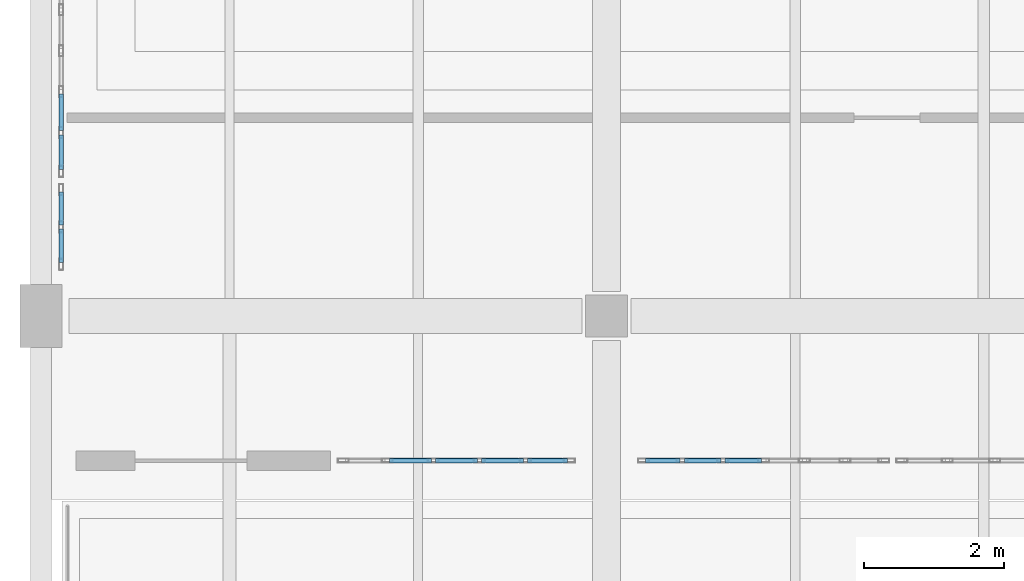
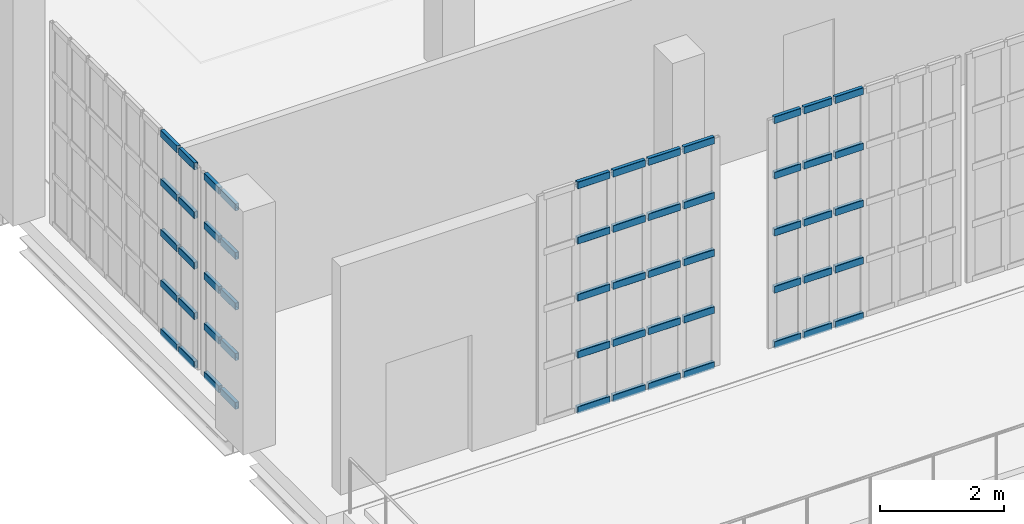
# One storey, part 53 of 104: 55 members, 4 elements without a shape of their own.
"""IFC4 building model written with IfcOpenShell, lengths in metres."""

from ifc_helpers import new_model, si_unit, direction, frame, origin, origin_2d, place, context, subcontext, project, spatial, hollow_rectangle, extrude, material, material_profile, profile_set, type_object, element, aggregate, save


model = new_model("IFC4")

# Units and contexts
model_context = context("Model", 3, precision=1e-05, world=origin(), true_north=direction((0.0, 1.0)))
body_context = subcontext(model_context, "Body", "Model", "MODEL_VIEW")
ifc_project = project(units=[si_unit("LENGTHUNIT", "METRE"), si_unit("AREAUNIT", "SQUARE_METRE"), si_unit("VOLUMEUNIT", "CUBIC_METRE"), si_unit("PLANEANGLEUNIT", "RADIAN"), si_unit("MASSUNIT", "GRAM", prefix="KILO")], contexts=[model_context])

# Site, building, storey
site_placement = place(None, origin())
site = spatial("IfcSite", under=ifc_project, at=site_placement, CompositionType="ELEMENT")
building_placement = place(site_placement, origin())
building = spatial("IfcBuilding", under=site, at=building_placement, Name="Kaelora Sail Theatre", CompositionType="ELEMENT")
storey_placement = place(building_placement, frame((0.0, 0.0, 5.39990234375)))
storey = spatial("IfcBuildingStorey", under=building, at=storey_placement, Name="L01", CompositionType="ELEMENT", Elevation=5.39990234375)

# Curtain wall, members
ifc_material_1 = material(Name="Anodised aluminium and solar-control low-E IGU", Category="aluminium")
curtain_wall_type_1 = type_object("IfcCurtainWallType", Name="ARC-CW-CW-FOY2", PredefinedType="NOTDEFINED", material=ifc_material_1)
curtain_wall_1_placement = place(storey_placement, origin())
curtain_wall_1 = element("IfcCurtainWall", 1, at=curtain_wall_1_placement, inside=storey, type_object=curtain_wall_type_1, Name="Glazed Foyer/Conservatory Curtain Wall FW1-S-L01-01", PredefinedType="NOTDEFINED")
ifc_material_2 = material(Name="Anodised aluminium 6063-T6", Category="aluminium")
ifc_material_profile = material_profile(ifc_material_2, hollow_rectangle(XDim=0.070068359375, YDim=0.139892578125, WallThickness=0.00390625, InnerFilletRadius=0.00390625, OuterFilletRadius=0.008056640625, at=origin_2d()), Name="ALU-TRAN 70x140x4")
ifc_profile_set = profile_set([ifc_material_profile], Name="Anodised aluminium 6063-T6")
member_type = type_object("IfcMemberType", Name="ARC-MEM-TR-140", PredefinedType="USERDEFINED", material=ifc_profile_set)
member_1_placement = place(storey_placement, frame((6.489990234375, 66.389892578125, 0.03515625), z_axis=(1.0, 0.0, 0.0), x_axis=(0.0, 1.0, 0.0)))
member_1 = element("IfcMember", 2, at=member_1_placement, type_object=member_type, Name="CW-FOY2 transom 2.1", ObjectType="TRANSOM", PredefinedType="USERDEFINED", context=body_context, shape_type="SweptSolid", body=[
    extrude(hollow_rectangle(XDim=0.070068359375, YDim=0.139892578125, WallThickness=0.00390625, InnerFilletRadius=0.00390625, OuterFilletRadius=0.008056640625, at=origin_2d()), origin(), (0.0, 0.0, 1.0), 0.60009765625),
])
member_2_placement = place(storey_placement, frame((6.489990234375, 66.389892578125, 1.12646484375), z_axis=(1.0, 0.0, 0.0), x_axis=(0.0, 1.0, 0.0)))
member_2 = element("IfcMember", 3, at=member_2_placement, type_object=member_type, Name="CW-FOY2 transom 2.2", ObjectType="TRANSOM", PredefinedType="USERDEFINED", context=body_context, shape_type="SweptSolid", body=[
    extrude(hollow_rectangle(XDim=0.070068359375, YDim=0.139892578125, WallThickness=0.00390625, InnerFilletRadius=0.00390625, OuterFilletRadius=0.008056640625, at=origin_2d()), origin(), (0.0, 0.0, 1.0), 0.60009765625),
])
member_3_placement = place(storey_placement, frame((6.489990234375, 66.389892578125, 2.252685546875), z_axis=(1.0, 0.0, 0.0), x_axis=(0.0, 1.0, 0.0)))
member_3 = element("IfcMember", 4, at=member_3_placement, type_object=member_type, Name="CW-FOY2 transom 2.3", ObjectType="TRANSOM", PredefinedType="USERDEFINED", context=body_context, shape_type="SweptSolid", body=[
    extrude(hollow_rectangle(XDim=0.070068359375, YDim=0.139892578125, WallThickness=0.00390625, InnerFilletRadius=0.00390625, OuterFilletRadius=0.008056640625, at=origin_2d()), origin(), (0.0, 0.0, 1.0), 0.60009765625),
])
member_4_placement = place(storey_placement, frame((6.489990234375, 66.389892578125, 3.37890625), z_axis=(1.0, 0.0, 0.0), x_axis=(0.0, 1.0, 0.0)))
member_4 = element("IfcMember", 5, at=member_4_placement, type_object=member_type, Name="CW-FOY2 transom 2.4", ObjectType="TRANSOM", PredefinedType="USERDEFINED", context=body_context, shape_type="SweptSolid", body=[
    extrude(hollow_rectangle(XDim=0.070068359375, YDim=0.139892578125, WallThickness=0.00390625, InnerFilletRadius=0.00390625, OuterFilletRadius=0.008056640625, at=origin_2d()), origin(), (0.0, 0.0, 1.0), 0.60009765625),
])
member_5_placement = place(storey_placement, frame((6.489990234375, 66.389892578125, 4.47021484375), z_axis=(1.0, 0.0, 0.0), x_axis=(0.0, 1.0, 0.0)))
member_5 = element("IfcMember", 6, at=member_5_placement, type_object=member_type, Name="CW-FOY2 transom 2.5", ObjectType="TRANSOM", PredefinedType="USERDEFINED", context=body_context, shape_type="SweptSolid", body=[
    extrude(hollow_rectangle(XDim=0.070068359375, YDim=0.139892578125, WallThickness=0.00390625, InnerFilletRadius=0.00390625, OuterFilletRadius=0.008056640625, at=origin_2d()), origin(), (0.0, 0.0, 1.0), 0.60009765625),
])
member_6_placement = place(storey_placement, frame((7.14990234375, 66.389892578125, 0.03515625), z_axis=(1.0, 0.0, 0.0), x_axis=(0.0, 1.0, 0.0)))
member_6 = element("IfcMember", 7, at=member_6_placement, type_object=member_type, Name="CW-FOY2 transom 3.1", ObjectType="TRANSOM", PredefinedType="USERDEFINED", context=body_context, shape_type="SweptSolid", body=[
    extrude(hollow_rectangle(XDim=0.070068359375, YDim=0.139892578125, WallThickness=0.00390625, InnerFilletRadius=0.00390625, OuterFilletRadius=0.008056640625, at=origin_2d()), origin(), (0.0, 0.0, 1.0), 0.60009765625),
])
member_7_placement = place(storey_placement, frame((7.14990234375, 66.389892578125, 1.12646484375), z_axis=(1.0, 0.0, 0.0), x_axis=(0.0, 1.0, 0.0)))
member_7 = element("IfcMember", 8, at=member_7_placement, type_object=member_type, Name="CW-FOY2 transom 3.2", ObjectType="TRANSOM", PredefinedType="USERDEFINED", context=body_context, shape_type="SweptSolid", body=[
    extrude(hollow_rectangle(XDim=0.070068359375, YDim=0.139892578125, WallThickness=0.00390625, InnerFilletRadius=0.00390625, OuterFilletRadius=0.008056640625, at=origin_2d()), origin(), (0.0, 0.0, 1.0), 0.60009765625),
])
member_8_placement = place(storey_placement, frame((7.14990234375, 66.389892578125, 2.252685546875), z_axis=(1.0, 0.0, 0.0), x_axis=(0.0, 1.0, 0.0)))
member_8 = element("IfcMember", 9, at=member_8_placement, type_object=member_type, Name="CW-FOY2 transom 3.3", ObjectType="TRANSOM", PredefinedType="USERDEFINED", context=body_context, shape_type="SweptSolid", body=[
    extrude(hollow_rectangle(XDim=0.070068359375, YDim=0.139892578125, WallThickness=0.00390625, InnerFilletRadius=0.00390625, OuterFilletRadius=0.008056640625, at=origin_2d()), origin(), (0.0, 0.0, 1.0), 0.60009765625),
])
member_9_placement = place(storey_placement, frame((7.14990234375, 66.389892578125, 3.37890625), z_axis=(1.0, 0.0, 0.0), x_axis=(0.0, 1.0, 0.0)))
member_9 = element("IfcMember", 10, at=member_9_placement, type_object=member_type, Name="CW-FOY2 transom 3.4", ObjectType="TRANSOM", PredefinedType="USERDEFINED", context=body_context, shape_type="SweptSolid", body=[
    extrude(hollow_rectangle(XDim=0.070068359375, YDim=0.139892578125, WallThickness=0.00390625, InnerFilletRadius=0.00390625, OuterFilletRadius=0.008056640625, at=origin_2d()), origin(), (0.0, 0.0, 1.0), 0.60009765625),
])
member_10_placement = place(storey_placement, frame((7.14990234375, 66.389892578125, 4.47021484375), z_axis=(1.0, 0.0, 0.0), x_axis=(0.0, 1.0, 0.0)))
member_10 = element("IfcMember", 11, at=member_10_placement, type_object=member_type, Name="CW-FOY2 transom 3.5", ObjectType="TRANSOM", PredefinedType="USERDEFINED", context=body_context, shape_type="SweptSolid", body=[
    extrude(hollow_rectangle(XDim=0.070068359375, YDim=0.139892578125, WallThickness=0.00390625, InnerFilletRadius=0.00390625, OuterFilletRadius=0.008056640625, at=origin_2d()), origin(), (0.0, 0.0, 1.0), 0.60009765625),
])
member_11_placement = place(storey_placement, frame((7.81005859375, 66.389892578125, 0.03515625), z_axis=(1.0, 0.0, 0.0), x_axis=(0.0, 1.0, 0.0)))
member_11 = element("IfcMember", 12, at=member_11_placement, type_object=member_type, Name="CW-FOY2 transom 4.1", ObjectType="TRANSOM", PredefinedType="USERDEFINED", context=body_context, shape_type="SweptSolid", body=[
    extrude(hollow_rectangle(XDim=0.070068359375, YDim=0.139892578125, WallThickness=0.00390625, InnerFilletRadius=0.00390625, OuterFilletRadius=0.008056640625, at=origin_2d()), origin(), (0.0, 0.0, 1.0), 0.599853515625),
])
member_12_placement = place(storey_placement, frame((7.81005859375, 66.389892578125, 1.12646484375), z_axis=(1.0, 0.0, 0.0), x_axis=(0.0, 1.0, 0.0)))
member_12 = element("IfcMember", 13, at=member_12_placement, type_object=member_type, Name="CW-FOY2 transom 4.2", ObjectType="TRANSOM", PredefinedType="USERDEFINED", context=body_context, shape_type="SweptSolid", body=[
    extrude(hollow_rectangle(XDim=0.070068359375, YDim=0.139892578125, WallThickness=0.00390625, InnerFilletRadius=0.00390625, OuterFilletRadius=0.008056640625, at=origin_2d()), origin(), (0.0, 0.0, 1.0), 0.599853515625),
])
member_13_placement = place(storey_placement, frame((7.81005859375, 66.389892578125, 2.252685546875), z_axis=(1.0, 0.0, 0.0), x_axis=(0.0, 1.0, 0.0)))
member_13 = element("IfcMember", 14, at=member_13_placement, type_object=member_type, Name="CW-FOY2 transom 4.3", ObjectType="TRANSOM", PredefinedType="USERDEFINED", context=body_context, shape_type="SweptSolid", body=[
    extrude(hollow_rectangle(XDim=0.070068359375, YDim=0.139892578125, WallThickness=0.00390625, InnerFilletRadius=0.00390625, OuterFilletRadius=0.008056640625, at=origin_2d()), origin(), (0.0, 0.0, 1.0), 0.599853515625),
])
member_14_placement = place(storey_placement, frame((7.81005859375, 66.389892578125, 3.37890625), z_axis=(1.0, 0.0, 0.0), x_axis=(0.0, 1.0, 0.0)))
member_14 = element("IfcMember", 15, at=member_14_placement, type_object=member_type, Name="CW-FOY2 transom 4.4", ObjectType="TRANSOM", PredefinedType="USERDEFINED", context=body_context, shape_type="SweptSolid", body=[
    extrude(hollow_rectangle(XDim=0.070068359375, YDim=0.139892578125, WallThickness=0.00390625, InnerFilletRadius=0.00390625, OuterFilletRadius=0.008056640625, at=origin_2d()), origin(), (0.0, 0.0, 1.0), 0.599853515625),
])
member_15_placement = place(storey_placement, frame((7.81005859375, 66.389892578125, 4.47021484375), z_axis=(1.0, 0.0, 0.0), x_axis=(0.0, 1.0, 0.0)))
member_15 = element("IfcMember", 16, at=member_15_placement, type_object=member_type, Name="CW-FOY2 transom 4.5", ObjectType="TRANSOM", PredefinedType="USERDEFINED", context=body_context, shape_type="SweptSolid", body=[
    extrude(hollow_rectangle(XDim=0.070068359375, YDim=0.139892578125, WallThickness=0.00390625, InnerFilletRadius=0.00390625, OuterFilletRadius=0.008056640625, at=origin_2d()), origin(), (0.0, 0.0, 1.0), 0.599853515625),
])
member_16_placement = place(storey_placement, frame((8.469970703125, 66.389892578125, 0.03515625), z_axis=(1.0, 0.0, 0.0), x_axis=(0.0, 1.0, 0.0)))
member_16 = element("IfcMember", 17, at=member_16_placement, type_object=member_type, Name="CW-FOY2 transom 5.1", ObjectType="TRANSOM", PredefinedType="USERDEFINED", context=body_context, shape_type="SweptSolid", body=[
    extrude(hollow_rectangle(XDim=0.070068359375, YDim=0.139892578125, WallThickness=0.00390625, InnerFilletRadius=0.00390625, OuterFilletRadius=0.008056640625, at=origin_2d()), origin(), (0.0, 0.0, 1.0), 0.570068359375),
])
member_17_placement = place(storey_placement, frame((8.469970703125, 66.389892578125, 1.12646484375), z_axis=(1.0, 0.0, 0.0), x_axis=(0.0, 1.0, 0.0)))
member_17 = element("IfcMember", 18, at=member_17_placement, type_object=member_type, Name="CW-FOY2 transom 5.2", ObjectType="TRANSOM", PredefinedType="USERDEFINED", context=body_context, shape_type="SweptSolid", body=[
    extrude(hollow_rectangle(XDim=0.070068359375, YDim=0.139892578125, WallThickness=0.00390625, InnerFilletRadius=0.00390625, OuterFilletRadius=0.008056640625, at=origin_2d()), origin(), (0.0, 0.0, 1.0), 0.570068359375),
])
member_18_placement = place(storey_placement, frame((8.469970703125, 66.389892578125, 2.252685546875), z_axis=(1.0, 0.0, 0.0), x_axis=(0.0, 1.0, 0.0)))
member_18 = element("IfcMember", 19, at=member_18_placement, type_object=member_type, Name="CW-FOY2 transom 5.3", ObjectType="TRANSOM", PredefinedType="USERDEFINED", context=body_context, shape_type="SweptSolid", body=[
    extrude(hollow_rectangle(XDim=0.070068359375, YDim=0.139892578125, WallThickness=0.00390625, InnerFilletRadius=0.00390625, OuterFilletRadius=0.008056640625, at=origin_2d()), origin(), (0.0, 0.0, 1.0), 0.570068359375),
])
member_19_placement = place(storey_placement, frame((8.469970703125, 66.389892578125, 3.37890625), z_axis=(1.0, 0.0, 0.0), x_axis=(0.0, 1.0, 0.0)))
member_19 = element("IfcMember", 20, at=member_19_placement, type_object=member_type, Name="CW-FOY2 transom 5.4", ObjectType="TRANSOM", PredefinedType="USERDEFINED", context=body_context, shape_type="SweptSolid", body=[
    extrude(hollow_rectangle(XDim=0.070068359375, YDim=0.139892578125, WallThickness=0.00390625, InnerFilletRadius=0.00390625, OuterFilletRadius=0.008056640625, at=origin_2d()), origin(), (0.0, 0.0, 1.0), 0.570068359375),
])
member_20_placement = place(storey_placement, frame((8.469970703125, 66.389892578125, 4.47021484375), z_axis=(1.0, 0.0, 0.0), x_axis=(0.0, 1.0, 0.0)))
member_20 = element("IfcMember", 21, at=member_20_placement, type_object=member_type, Name="CW-FOY2 transom 5.5", ObjectType="TRANSOM", PredefinedType="USERDEFINED", context=body_context, shape_type="SweptSolid", body=[
    extrude(hollow_rectangle(XDim=0.070068359375, YDim=0.139892578125, WallThickness=0.00390625, InnerFilletRadius=0.00390625, OuterFilletRadius=0.008056640625, at=origin_2d()), origin(), (0.0, 0.0, 1.0), 0.570068359375),
])
aggregate(curtain_wall_1, [member_1, member_2, member_3, member_4, member_5, member_6, member_7, member_8, member_9, member_10, member_11, member_12, member_13, member_14, member_15, member_16, member_17, member_18, member_19, member_20])

curtain_wall_2_placement = place(storey_placement, origin())
curtain_wall_2 = element("IfcCurtainWall", 22, at=curtain_wall_2_placement, inside=storey, type_object=curtain_wall_type_1, Name="Glazed Foyer/Conservatory Curtain Wall FW1-S-L01-02", PredefinedType="NOTDEFINED")
member_21_placement = place(storey_placement, frame((10.159912109375, 66.389892578125, 0.03515625), z_axis=(1.0, 0.0, 0.0), x_axis=(0.0, 1.0, 0.0)))
member_21 = element("IfcMember", 23, at=member_21_placement, type_object=member_type, Name="CW-FOY2 transom 1.1", ObjectType="TRANSOM", PredefinedType="USERDEFINED", context=body_context, shape_type="SweptSolid", body=[
    extrude(hollow_rectangle(XDim=0.070068359375, YDim=0.139892578125, WallThickness=0.00390625, InnerFilletRadius=0.00390625, OuterFilletRadius=0.008056640625, at=origin_2d()), origin(), (0.0, 0.0, 1.0), 0.493408203125),
])
member_22_placement = place(storey_placement, frame((10.159912109375, 66.389892578125, 1.12646484375), z_axis=(1.0, 0.0, 0.0), x_axis=(0.0, 1.0, 0.0)))
member_22 = element("IfcMember", 24, at=member_22_placement, type_object=member_type, Name="CW-FOY2 transom 1.2", ObjectType="TRANSOM", PredefinedType="USERDEFINED", context=body_context, shape_type="SweptSolid", body=[
    extrude(hollow_rectangle(XDim=0.070068359375, YDim=0.139892578125, WallThickness=0.00390625, InnerFilletRadius=0.00390625, OuterFilletRadius=0.008056640625, at=origin_2d()), origin(), (0.0, 0.0, 1.0), 0.493408203125),
])
member_23_placement = place(storey_placement, frame((10.159912109375, 66.389892578125, 2.252685546875), z_axis=(1.0, 0.0, 0.0), x_axis=(0.0, 1.0, 0.0)))
member_23 = element("IfcMember", 25, at=member_23_placement, type_object=member_type, Name="CW-FOY2 transom 1.3", ObjectType="TRANSOM", PredefinedType="USERDEFINED", context=body_context, shape_type="SweptSolid", body=[
    extrude(hollow_rectangle(XDim=0.070068359375, YDim=0.139892578125, WallThickness=0.00390625, InnerFilletRadius=0.00390625, OuterFilletRadius=0.008056640625, at=origin_2d()), origin(), (0.0, 0.0, 1.0), 0.493408203125),
])
member_24_placement = place(storey_placement, frame((10.159912109375, 66.389892578125, 3.37890625), z_axis=(1.0, 0.0, 0.0), x_axis=(0.0, 1.0, 0.0)))
member_24 = element("IfcMember", 26, at=member_24_placement, type_object=member_type, Name="CW-FOY2 transom 1.4", ObjectType="TRANSOM", PredefinedType="USERDEFINED", context=body_context, shape_type="SweptSolid", body=[
    extrude(hollow_rectangle(XDim=0.070068359375, YDim=0.139892578125, WallThickness=0.00390625, InnerFilletRadius=0.00390625, OuterFilletRadius=0.008056640625, at=origin_2d()), origin(), (0.0, 0.0, 1.0), 0.493408203125),
])
member_25_placement = place(storey_placement, frame((10.159912109375, 66.389892578125, 4.47021484375), z_axis=(1.0, 0.0, 0.0), x_axis=(0.0, 1.0, 0.0)))
member_25 = element("IfcMember", 27, at=member_25_placement, type_object=member_type, Name="CW-FOY2 transom 1.5", ObjectType="TRANSOM", PredefinedType="USERDEFINED", context=body_context, shape_type="SweptSolid", body=[
    extrude(hollow_rectangle(XDim=0.070068359375, YDim=0.139892578125, WallThickness=0.00390625, InnerFilletRadius=0.00390625, OuterFilletRadius=0.008056640625, at=origin_2d()), origin(), (0.0, 0.0, 1.0), 0.493408203125),
])
member_26_placement = place(storey_placement, frame((10.71337890625, 66.389892578125, 0.03515625), z_axis=(1.0, 0.0, 0.0), x_axis=(0.0, 1.0, 0.0)))
member_26 = element("IfcMember", 28, at=member_26_placement, type_object=member_type, Name="CW-FOY2 transom 2.1", ObjectType="TRANSOM", PredefinedType="USERDEFINED", context=body_context, shape_type="SweptSolid", body=[
    extrude(hollow_rectangle(XDim=0.070068359375, YDim=0.139892578125, WallThickness=0.00390625, InnerFilletRadius=0.00390625, OuterFilletRadius=0.008056640625, at=origin_2d()), origin(), (0.0, 0.0, 1.0), 0.523193359375),
])
member_27_placement = place(storey_placement, frame((10.71337890625, 66.389892578125, 1.12646484375), z_axis=(1.0, 0.0, 0.0), x_axis=(0.0, 1.0, 0.0)))
member_27 = element("IfcMember", 29, at=member_27_placement, type_object=member_type, Name="CW-FOY2 transom 2.2", ObjectType="TRANSOM", PredefinedType="USERDEFINED", context=body_context, shape_type="SweptSolid", body=[
    extrude(hollow_rectangle(XDim=0.070068359375, YDim=0.139892578125, WallThickness=0.00390625, InnerFilletRadius=0.00390625, OuterFilletRadius=0.008056640625, at=origin_2d()), origin(), (0.0, 0.0, 1.0), 0.523193359375),
])
member_28_placement = place(storey_placement, frame((10.71337890625, 66.389892578125, 2.252685546875), z_axis=(1.0, 0.0, 0.0), x_axis=(0.0, 1.0, 0.0)))
member_28 = element("IfcMember", 30, at=member_28_placement, type_object=member_type, Name="CW-FOY2 transom 2.3", ObjectType="TRANSOM", PredefinedType="USERDEFINED", context=body_context, shape_type="SweptSolid", body=[
    extrude(hollow_rectangle(XDim=0.070068359375, YDim=0.139892578125, WallThickness=0.00390625, InnerFilletRadius=0.00390625, OuterFilletRadius=0.008056640625, at=origin_2d()), origin(), (0.0, 0.0, 1.0), 0.523193359375),
])
member_29_placement = place(storey_placement, frame((10.71337890625, 66.389892578125, 3.37890625), z_axis=(1.0, 0.0, 0.0), x_axis=(0.0, 1.0, 0.0)))
member_29 = element("IfcMember", 31, at=member_29_placement, type_object=member_type, Name="CW-FOY2 transom 2.4", ObjectType="TRANSOM", PredefinedType="USERDEFINED", context=body_context, shape_type="SweptSolid", body=[
    extrude(hollow_rectangle(XDim=0.070068359375, YDim=0.139892578125, WallThickness=0.00390625, InnerFilletRadius=0.00390625, OuterFilletRadius=0.008056640625, at=origin_2d()), origin(), (0.0, 0.0, 1.0), 0.523193359375),
])
member_30_placement = place(storey_placement, frame((10.71337890625, 66.389892578125, 4.47021484375), z_axis=(1.0, 0.0, 0.0), x_axis=(0.0, 1.0, 0.0)))
member_30 = element("IfcMember", 32, at=member_30_placement, type_object=member_type, Name="CW-FOY2 transom 2.5", ObjectType="TRANSOM", PredefinedType="USERDEFINED", context=body_context, shape_type="SweptSolid", body=[
    extrude(hollow_rectangle(XDim=0.070068359375, YDim=0.139892578125, WallThickness=0.00390625, InnerFilletRadius=0.00390625, OuterFilletRadius=0.008056640625, at=origin_2d()), origin(), (0.0, 0.0, 1.0), 0.523193359375),
])
member_31_placement = place(storey_placement, frame((11.296630859375, 66.389892578125, 0.03515625), z_axis=(1.0, 0.0, 0.0), x_axis=(0.0, 1.0, 0.0)))
member_31 = element("IfcMember", 33, at=member_31_placement, type_object=member_type, Name="CW-FOY2 transom 3.1", ObjectType="TRANSOM", PredefinedType="USERDEFINED", context=body_context, shape_type="SweptSolid", body=[
    extrude(hollow_rectangle(XDim=0.070068359375, YDim=0.139892578125, WallThickness=0.00390625, InnerFilletRadius=0.00390625, OuterFilletRadius=0.008056640625, at=origin_2d()), origin(), (0.0, 0.0, 1.0), 0.5234375),
])
member_32_placement = place(storey_placement, frame((11.296630859375, 66.389892578125, 1.12646484375), z_axis=(1.0, 0.0, 0.0), x_axis=(0.0, 1.0, 0.0)))
member_32 = element("IfcMember", 34, at=member_32_placement, type_object=member_type, Name="CW-FOY2 transom 3.2", ObjectType="TRANSOM", PredefinedType="USERDEFINED", context=body_context, shape_type="SweptSolid", body=[
    extrude(hollow_rectangle(XDim=0.070068359375, YDim=0.139892578125, WallThickness=0.00390625, InnerFilletRadius=0.00390625, OuterFilletRadius=0.008056640625, at=origin_2d()), origin(), (0.0, 0.0, 1.0), 0.5234375),
])
member_33_placement = place(storey_placement, frame((11.296630859375, 66.389892578125, 2.252685546875), z_axis=(1.0, 0.0, 0.0), x_axis=(0.0, 1.0, 0.0)))
member_33 = element("IfcMember", 35, at=member_33_placement, type_object=member_type, Name="CW-FOY2 transom 3.3", ObjectType="TRANSOM", PredefinedType="USERDEFINED", context=body_context, shape_type="SweptSolid", body=[
    extrude(hollow_rectangle(XDim=0.070068359375, YDim=0.139892578125, WallThickness=0.00390625, InnerFilletRadius=0.00390625, OuterFilletRadius=0.008056640625, at=origin_2d()), origin(), (0.0, 0.0, 1.0), 0.5234375),
])
member_34_placement = place(storey_placement, frame((11.296630859375, 66.389892578125, 3.37890625), z_axis=(1.0, 0.0, 0.0), x_axis=(0.0, 1.0, 0.0)))
member_34 = element("IfcMember", 36, at=member_34_placement, type_object=member_type, Name="CW-FOY2 transom 3.4", ObjectType="TRANSOM", PredefinedType="USERDEFINED", context=body_context, shape_type="SweptSolid", body=[
    extrude(hollow_rectangle(XDim=0.070068359375, YDim=0.139892578125, WallThickness=0.00390625, InnerFilletRadius=0.00390625, OuterFilletRadius=0.008056640625, at=origin_2d()), origin(), (0.0, 0.0, 1.0), 0.5234375),
])
member_35_placement = place(storey_placement, frame((11.296630859375, 66.389892578125, 4.47021484375), z_axis=(1.0, 0.0, 0.0), x_axis=(0.0, 1.0, 0.0)))
member_35 = element("IfcMember", 37, at=member_35_placement, type_object=member_type, Name="CW-FOY2 transom 3.5", ObjectType="TRANSOM", PredefinedType="USERDEFINED", context=body_context, shape_type="SweptSolid", body=[
    extrude(hollow_rectangle(XDim=0.070068359375, YDim=0.139892578125, WallThickness=0.00390625, InnerFilletRadius=0.00390625, OuterFilletRadius=0.008056640625, at=origin_2d()), origin(), (0.0, 0.0, 1.0), 0.5234375),
])
aggregate(curtain_wall_2, [member_21, member_22, member_23, member_24, member_25, member_26, member_27, member_28, member_29, member_30, member_31, member_32, member_33, member_34, member_35])

ifc_material_3 = material(Name="Anodised aluminium and solar-control low-E IGU", Category="aluminium")
curtain_wall_type_2 = type_object("IfcCurtainWallType", Name="ARC-CW-CW-PROW", PredefinedType="NOTDEFINED", material=ifc_material_3)
curtain_wall_3_placement = place(storey_placement, origin())
curtain_wall_3 = element("IfcCurtainWall", 38, at=curtain_wall_3_placement, inside=storey, type_object=curtain_wall_type_2, Name="Glazed Colonnade/Courtyard Curtain Wall FW1-W-L01-01", PredefinedType="NOTDEFINED")
member_36_placement = place(storey_placement, frame((1.7900390625, 69.22998046875, 0.03515625), z_axis=(0.0, 1.0, 0.0), x_axis=(-1.0, 0.0, 0.0)))
member_36 = element("IfcMember", 39, at=member_36_placement, type_object=member_type, Name="CW-PROW transom 1.1", ObjectType="TRANSOM", PredefinedType="USERDEFINED", context=body_context, shape_type="SweptSolid", body=[
    extrude(hollow_rectangle(XDim=0.070068359375, YDim=0.139892578125, WallThickness=0.00390625, InnerFilletRadius=0.00390625, OuterFilletRadius=0.008056640625, at=origin_2d()), origin(), (0.0, 0.0, 1.0), 0.47509765625),
])
member_37_placement = place(storey_placement, frame((1.7900390625, 69.22998046875, 0.996826171875), z_axis=(0.0, 1.0, 0.0), x_axis=(-1.0, 0.0, 0.0)))
member_37 = element("IfcMember", 40, at=member_37_placement, type_object=member_type, Name="CW-PROW transom 1.2", ObjectType="TRANSOM", PredefinedType="USERDEFINED", context=body_context, shape_type="SweptSolid", body=[
    extrude(hollow_rectangle(XDim=0.070068359375, YDim=0.139892578125, WallThickness=0.00390625, InnerFilletRadius=0.00390625, OuterFilletRadius=0.008056640625, at=origin_2d()), origin(), (0.0, 0.0, 1.0), 0.47509765625),
])
member_38_placement = place(storey_placement, frame((1.7900390625, 69.22998046875, 1.99365234375), z_axis=(0.0, 1.0, 0.0), x_axis=(-1.0, 0.0, 0.0)))
member_38 = element("IfcMember", 41, at=member_38_placement, type_object=member_type, Name="CW-PROW transom 1.3", ObjectType="TRANSOM", PredefinedType="USERDEFINED", context=body_context, shape_type="SweptSolid", body=[
    extrude(hollow_rectangle(XDim=0.070068359375, YDim=0.139892578125, WallThickness=0.00390625, InnerFilletRadius=0.00390625, OuterFilletRadius=0.008056640625, at=origin_2d()), origin(), (0.0, 0.0, 1.0), 0.47509765625),
])
member_39_placement = place(storey_placement, frame((1.7900390625, 69.22998046875, 2.990234375), z_axis=(0.0, 1.0, 0.0), x_axis=(-1.0, 0.0, 0.0)))
member_39 = element("IfcMember", 42, at=member_39_placement, type_object=member_type, Name="CW-PROW transom 1.4", ObjectType="TRANSOM", PredefinedType="USERDEFINED", context=body_context, shape_type="SweptSolid", body=[
    extrude(hollow_rectangle(XDim=0.070068359375, YDim=0.139892578125, WallThickness=0.00390625, InnerFilletRadius=0.00390625, OuterFilletRadius=0.008056640625, at=origin_2d()), origin(), (0.0, 0.0, 1.0), 0.47509765625),
])
member_40_placement = place(storey_placement, frame((1.7900390625, 69.22998046875, 3.9521484375), z_axis=(0.0, 1.0, 0.0), x_axis=(-1.0, 0.0, 0.0)))
member_40 = element("IfcMember", 43, at=member_40_placement, type_object=member_type, Name="CW-PROW transom 1.5", ObjectType="TRANSOM", PredefinedType="USERDEFINED", context=body_context, shape_type="SweptSolid", body=[
    extrude(hollow_rectangle(XDim=0.070068359375, YDim=0.139892578125, WallThickness=0.00390625, InnerFilletRadius=0.00390625, OuterFilletRadius=0.008056640625, at=origin_2d()), origin(), (0.0, 0.0, 1.0), 0.47509765625),
])
member_41_placement = place(storey_placement, frame((1.7900390625, 69.764892578125, 0.03515625), z_axis=(0.0, 1.0, 0.0), x_axis=(-1.0, 0.0, 0.0)))
member_41 = element("IfcMember", 44, at=member_41_placement, type_object=member_type, Name="CW-PROW transom 2.1", ObjectType="TRANSOM", PredefinedType="USERDEFINED", context=body_context, shape_type="SweptSolid", body=[
    extrude(hollow_rectangle(XDim=0.070068359375, YDim=0.139892578125, WallThickness=0.00390625, InnerFilletRadius=0.00390625, OuterFilletRadius=0.008056640625, at=origin_2d()), origin(), (0.0, 0.0, 1.0), 0.47509765625),
])
member_42_placement = place(storey_placement, frame((1.7900390625, 69.764892578125, 0.996826171875), z_axis=(0.0, 1.0, 0.0), x_axis=(-1.0, 0.0, 0.0)))
member_42 = element("IfcMember", 45, at=member_42_placement, type_object=member_type, Name="CW-PROW transom 2.2", ObjectType="TRANSOM", PredefinedType="USERDEFINED", context=body_context, shape_type="SweptSolid", body=[
    extrude(hollow_rectangle(XDim=0.070068359375, YDim=0.139892578125, WallThickness=0.00390625, InnerFilletRadius=0.00390625, OuterFilletRadius=0.008056640625, at=origin_2d()), origin(), (0.0, 0.0, 1.0), 0.47509765625),
])
member_43_placement = place(storey_placement, frame((1.7900390625, 69.764892578125, 1.99365234375), z_axis=(0.0, 1.0, 0.0), x_axis=(-1.0, 0.0, 0.0)))
member_43 = element("IfcMember", 46, at=member_43_placement, type_object=member_type, Name="CW-PROW transom 2.3", ObjectType="TRANSOM", PredefinedType="USERDEFINED", context=body_context, shape_type="SweptSolid", body=[
    extrude(hollow_rectangle(XDim=0.070068359375, YDim=0.139892578125, WallThickness=0.00390625, InnerFilletRadius=0.00390625, OuterFilletRadius=0.008056640625, at=origin_2d()), origin(), (0.0, 0.0, 1.0), 0.47509765625),
])
member_44_placement = place(storey_placement, frame((1.7900390625, 69.764892578125, 2.990234375), z_axis=(0.0, 1.0, 0.0), x_axis=(-1.0, 0.0, 0.0)))
member_44 = element("IfcMember", 47, at=member_44_placement, type_object=member_type, Name="CW-PROW transom 2.4", ObjectType="TRANSOM", PredefinedType="USERDEFINED", context=body_context, shape_type="SweptSolid", body=[
    extrude(hollow_rectangle(XDim=0.070068359375, YDim=0.139892578125, WallThickness=0.00390625, InnerFilletRadius=0.00390625, OuterFilletRadius=0.008056640625, at=origin_2d()), origin(), (0.0, 0.0, 1.0), 0.47509765625),
])
member_45_placement = place(storey_placement, frame((1.7900390625, 69.764892578125, 3.9521484375), z_axis=(0.0, 1.0, 0.0), x_axis=(-1.0, 0.0, 0.0)))
member_45 = element("IfcMember", 48, at=member_45_placement, type_object=member_type, Name="CW-PROW transom 2.5", ObjectType="TRANSOM", PredefinedType="USERDEFINED", context=body_context, shape_type="SweptSolid", body=[
    extrude(hollow_rectangle(XDim=0.070068359375, YDim=0.139892578125, WallThickness=0.00390625, InnerFilletRadius=0.00390625, OuterFilletRadius=0.008056640625, at=origin_2d()), origin(), (0.0, 0.0, 1.0), 0.47509765625),
])
aggregate(curtain_wall_3, [member_36, member_37, member_38, member_39, member_40, member_41, member_42, member_43, member_44, member_45])

curtain_wall_4_placement = place(storey_placement, origin())
curtain_wall_4 = element("IfcCurtainWall", 49, at=curtain_wall_4_placement, inside=storey, type_object=curtain_wall_type_2, Name="Glazed Colonnade/Courtyard Curtain Wall FW1-W-L01-02", PredefinedType="NOTDEFINED")
member_46_placement = place(storey_placement, frame((1.7900390625, 70.56005859375, 0.03515625), z_axis=(0.0, 1.0, 0.0), x_axis=(-1.0, 0.0, 0.0)))
member_46 = element("IfcMember", 50, at=member_46_placement, type_object=member_type, Name="CW-PROW transom 1.1", ObjectType="TRANSOM", PredefinedType="USERDEFINED", context=body_context, shape_type="SweptSolid", body=[
    extrude(hollow_rectangle(XDim=0.070068359375, YDim=0.139892578125, WallThickness=0.00390625, InnerFilletRadius=0.00390625, OuterFilletRadius=0.008056640625, at=origin_2d()), origin(), (0.0, 0.0, 1.0), 0.49609375),
])
member_47_placement = place(storey_placement, frame((1.7900390625, 70.56005859375, 0.996826171875), z_axis=(0.0, 1.0, 0.0), x_axis=(-1.0, 0.0, 0.0)))
member_47 = element("IfcMember", 51, at=member_47_placement, type_object=member_type, Name="CW-PROW transom 1.2", ObjectType="TRANSOM", PredefinedType="USERDEFINED", context=body_context, shape_type="SweptSolid", body=[
    extrude(hollow_rectangle(XDim=0.070068359375, YDim=0.139892578125, WallThickness=0.00390625, InnerFilletRadius=0.00390625, OuterFilletRadius=0.008056640625, at=origin_2d()), origin(), (0.0, 0.0, 1.0), 0.49609375),
])
member_48_placement = place(storey_placement, frame((1.7900390625, 70.56005859375, 1.99365234375), z_axis=(0.0, 1.0, 0.0), x_axis=(-1.0, 0.0, 0.0)))
member_48 = element("IfcMember", 52, at=member_48_placement, type_object=member_type, Name="CW-PROW transom 1.3", ObjectType="TRANSOM", PredefinedType="USERDEFINED", context=body_context, shape_type="SweptSolid", body=[
    extrude(hollow_rectangle(XDim=0.070068359375, YDim=0.139892578125, WallThickness=0.00390625, InnerFilletRadius=0.00390625, OuterFilletRadius=0.008056640625, at=origin_2d()), origin(), (0.0, 0.0, 1.0), 0.49609375),
])
member_49_placement = place(storey_placement, frame((1.7900390625, 70.56005859375, 2.990234375), z_axis=(0.0, 1.0, 0.0), x_axis=(-1.0, 0.0, 0.0)))
member_49 = element("IfcMember", 53, at=member_49_placement, type_object=member_type, Name="CW-PROW transom 1.4", ObjectType="TRANSOM", PredefinedType="USERDEFINED", context=body_context, shape_type="SweptSolid", body=[
    extrude(hollow_rectangle(XDim=0.070068359375, YDim=0.139892578125, WallThickness=0.00390625, InnerFilletRadius=0.00390625, OuterFilletRadius=0.008056640625, at=origin_2d()), origin(), (0.0, 0.0, 1.0), 0.49609375),
])
member_50_placement = place(storey_placement, frame((1.7900390625, 70.56005859375, 3.9521484375), z_axis=(0.0, 1.0, 0.0), x_axis=(-1.0, 0.0, 0.0)))
member_50 = element("IfcMember", 54, at=member_50_placement, type_object=member_type, Name="CW-PROW transom 1.5", ObjectType="TRANSOM", PredefinedType="USERDEFINED", context=body_context, shape_type="SweptSolid", body=[
    extrude(hollow_rectangle(XDim=0.070068359375, YDim=0.139892578125, WallThickness=0.00390625, InnerFilletRadius=0.00390625, OuterFilletRadius=0.008056640625, at=origin_2d()), origin(), (0.0, 0.0, 1.0), 0.49609375),
])
member_51_placement = place(storey_placement, frame((1.7900390625, 71.1162109375, 0.03515625), z_axis=(0.0, 1.0, 0.0), x_axis=(-1.0, 0.0, 0.0)))
member_51 = element("IfcMember", 55, at=member_51_placement, type_object=member_type, Name="CW-PROW transom 2.1", ObjectType="TRANSOM", PredefinedType="USERDEFINED", context=body_context, shape_type="SweptSolid", body=[
    extrude(hollow_rectangle(XDim=0.070068359375, YDim=0.139892578125, WallThickness=0.00390625, InnerFilletRadius=0.00390625, OuterFilletRadius=0.008056640625, at=origin_2d()), origin(), (0.0, 0.0, 1.0), 0.5263671875),
])
member_52_placement = place(storey_placement, frame((1.7900390625, 71.1162109375, 0.996826171875), z_axis=(0.0, 1.0, 0.0), x_axis=(-1.0, 0.0, 0.0)))
member_52 = element("IfcMember", 56, at=member_52_placement, type_object=member_type, Name="CW-PROW transom 2.2", ObjectType="TRANSOM", PredefinedType="USERDEFINED", context=body_context, shape_type="SweptSolid", body=[
    extrude(hollow_rectangle(XDim=0.070068359375, YDim=0.139892578125, WallThickness=0.00390625, InnerFilletRadius=0.00390625, OuterFilletRadius=0.008056640625, at=origin_2d()), origin(), (0.0, 0.0, 1.0), 0.5263671875),
])
member_53_placement = place(storey_placement, frame((1.7900390625, 71.1162109375, 1.99365234375), z_axis=(0.0, 1.0, 0.0), x_axis=(-1.0, 0.0, 0.0)))
member_53 = element("IfcMember", 57, at=member_53_placement, type_object=member_type, Name="CW-PROW transom 2.3", ObjectType="TRANSOM", PredefinedType="USERDEFINED", context=body_context, shape_type="SweptSolid", body=[
    extrude(hollow_rectangle(XDim=0.070068359375, YDim=0.139892578125, WallThickness=0.00390625, InnerFilletRadius=0.00390625, OuterFilletRadius=0.008056640625, at=origin_2d()), origin(), (0.0, 0.0, 1.0), 0.5263671875),
])
member_54_placement = place(storey_placement, frame((1.7900390625, 71.1162109375, 2.990234375), z_axis=(0.0, 1.0, 0.0), x_axis=(-1.0, 0.0, 0.0)))
member_54 = element("IfcMember", 58, at=member_54_placement, type_object=member_type, Name="CW-PROW transom 2.4", ObjectType="TRANSOM", PredefinedType="USERDEFINED", context=body_context, shape_type="SweptSolid", body=[
    extrude(hollow_rectangle(XDim=0.070068359375, YDim=0.139892578125, WallThickness=0.00390625, InnerFilletRadius=0.00390625, OuterFilletRadius=0.008056640625, at=origin_2d()), origin(), (0.0, 0.0, 1.0), 0.5263671875),
])
member_55_placement = place(storey_placement, frame((1.7900390625, 71.1162109375, 3.9521484375), z_axis=(0.0, 1.0, 0.0), x_axis=(-1.0, 0.0, 0.0)))
member_55 = element("IfcMember", 59, at=member_55_placement, type_object=member_type, Name="CW-PROW transom 2.5", ObjectType="TRANSOM", PredefinedType="USERDEFINED", context=body_context, shape_type="SweptSolid", body=[
    extrude(hollow_rectangle(XDim=0.070068359375, YDim=0.139892578125, WallThickness=0.00390625, InnerFilletRadius=0.00390625, OuterFilletRadius=0.008056640625, at=origin_2d()), origin(), (0.0, 0.0, 1.0), 0.5263671875),
])
aggregate(curtain_wall_4, [member_46, member_47, member_48, member_49, member_50, member_51, member_52, member_53, member_54, member_55])

save(model, "model.ifc")
